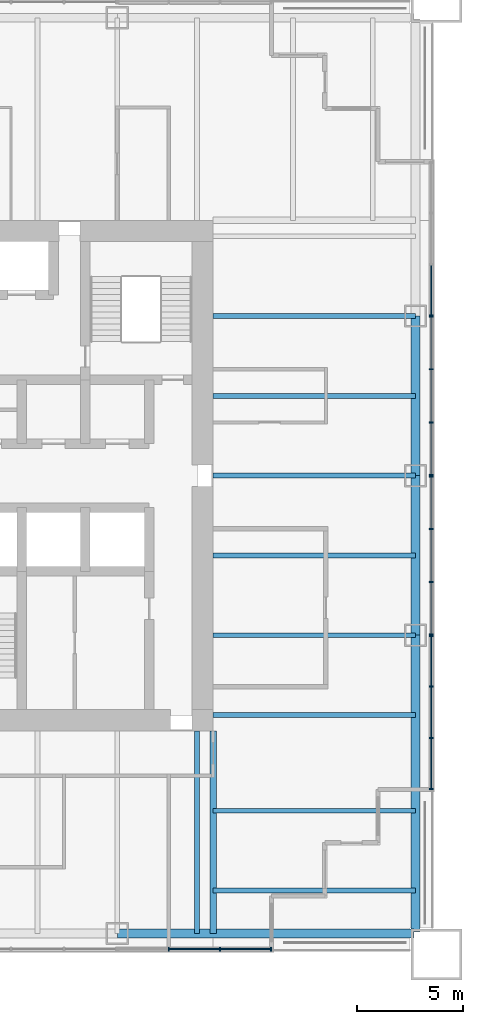
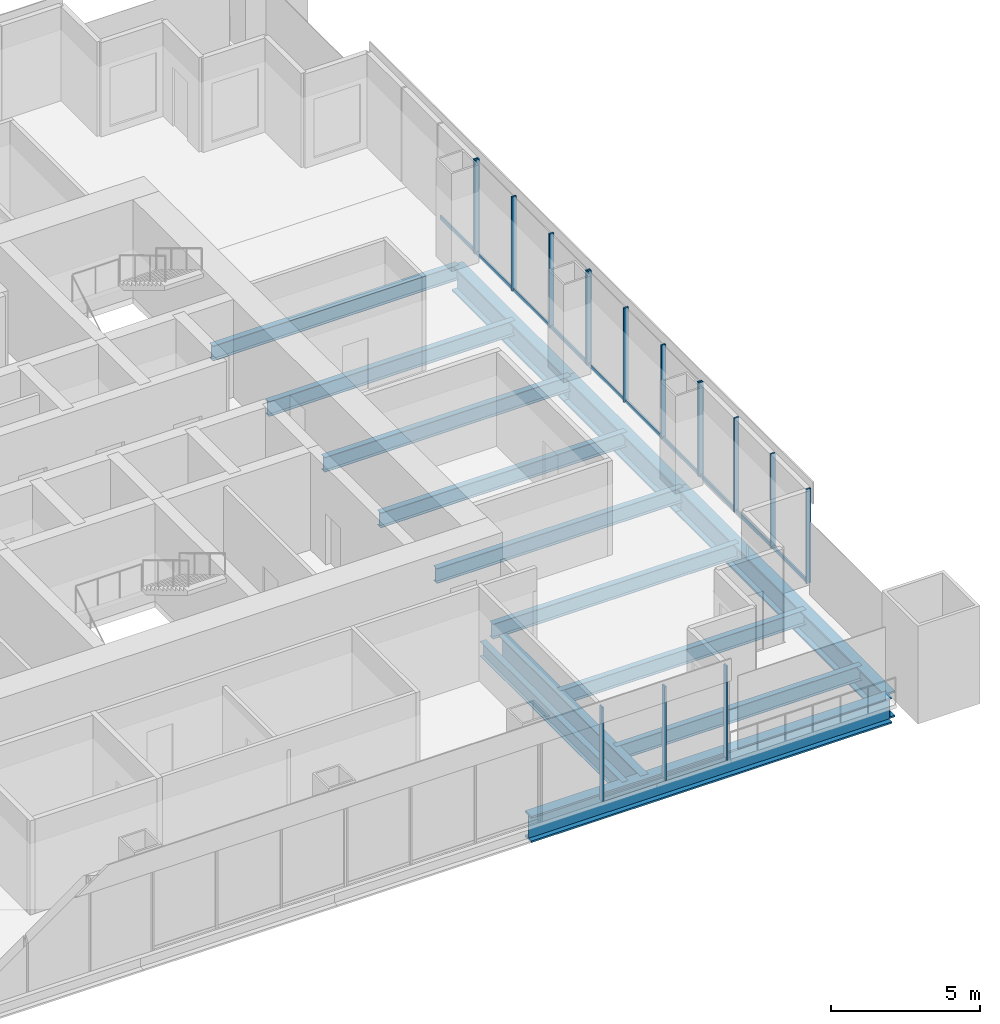
# One storey, part 4 of 13: 28 members, 14 beams, 5 elements without a shape of their own.
"""IFC4 building model written with IfcOpenShell, lengths in metres."""

from ifc_helpers import new_model, si_unit, direction, frame, origin, origin_2d, place, context, subcontext, project, spatial, rectangle, i_section, extrude, material, material_profile, profile_set, type_object, element, aggregate, save


model = new_model("IFC4")

# Units and contexts
model_context = context("Model", 3, precision=1e-05, world=origin(), true_north=direction((0.0, 1.0)))
body_context = subcontext(model_context, "Body", "Model", "MODEL_VIEW")
ifc_project = project(units=[si_unit("LENGTHUNIT", "METRE"), si_unit("AREAUNIT", "SQUARE_METRE"), si_unit("VOLUMEUNIT", "CUBIC_METRE"), si_unit("PLANEANGLEUNIT", "RADIAN"), si_unit("MASSUNIT", "GRAM", prefix="KILO")], contexts=[model_context])

# Site, building, storey
site_placement = place(None, origin())
site = spatial("IfcSite", under=ifc_project, at=site_placement, CompositionType="ELEMENT")
building_placement = place(site_placement, origin())
building = spatial("IfcBuilding", under=site, at=building_placement, Name="Tarangal Relay Tower", CompositionType="ELEMENT")
storey_placement = place(building_placement, frame((0.0, 0.0, 241.89990234375)))
storey = spatial("IfcBuildingStorey", under=building, at=storey_placement, Name="L52", CompositionType="ELEMENT", Elevation=241.89990234375)

# Beams
ifc_material_1 = material(Name="Steel ASTM A992", Category="steel")
ifc_material_profile_1 = material_profile(ifc_material_1, i_section(OverallWidth=0.227783203125, OverallDepth=0.60205078125, WebThickness=0.010498046875, FlangeThickness=0.014892578125, at=origin_2d()), Name="W24X68")
ifc_profile_set_1 = profile_set([ifc_material_profile_1], Name="Steel ASTM A992")
beam_type_1 = type_object("IfcBeamType", Name="Corner beam W24X68", PredefinedType="JOIST", material=ifc_profile_set_1)
for number, where, z_axis, x_axis, name in (
    (1, (12.0, -15.75, -0.450927734375), (1.0, 0.0, 0.0), (0.0, 1.0, 0.0), "Corner beam CB11 E L52"),
    (2, (12.0, -19.5, -0.450927734375), (1.0, 0.0, 0.0), (0.0, 1.0, 0.0), "Corner beam CB11 E L52"),
):
    element("IfcBeam", number, at=place(storey_placement, frame(where, z_axis=z_axis, x_axis=x_axis)), inside=storey, type_object=beam_type_1, Name=name, PredefinedType="JOIST", context=body_context, shape_type="SweptSolid", body=[
        extrude(i_section(OverallWidth=0.227783203125, OverallDepth=0.60205078125, WebThickness=0.010498046875, FlangeThickness=0.014892578125, at=origin_2d()), origin(), (0.0, 0.0, 1.0), 9.514892578125),
    ])
ifc_material_profile_2 = material_profile(ifc_material_1, i_section(OverallWidth=0.307373046875, OverallDepth=0.9423828125, WebThickness=0.022216796875, FlangeThickness=0.039794921875, at=origin_2d()), Name="W36X232")
ifc_profile_set_2 = profile_set([ifc_material_profile_2], Name="Steel ASTM A992")
beam_type_2 = type_object("IfcBeamType", Name="Corner girder W36X232", PredefinedType="BEAM", material=ifc_profile_set_2)
beam_placement = place(storey_placement, frame((12.0, -12.0, -0.62109375), z_axis=(0.0, -1.0, 0.0), x_axis=(1.0, 0.0, 0.0)))
element("IfcBeam", 3, at=beam_placement, inside=storey, type_object=beam_type_2, Name="Corner girder CG4 E L52", PredefinedType="BEAM", context=body_context, shape_type="SweptSolid", body=[
    extrude(i_section(OverallWidth=0.307373046875, OverallDepth=0.9423828125, WebThickness=0.022216796875, FlangeThickness=0.039794921875, at=origin_2d()), origin(), (0.0, 0.0, 1.0), 9.514892578125),
])
ifc_material_profile_3 = material_profile(ifc_material_1, i_section(OverallWidth=0.41650390625, OverallDepth=1.0693359375, WebThickness=0.0390625, FlangeThickness=0.070068359375, at=origin_2d()), Name="W40X503")
ifc_profile_set_3 = profile_set([ifc_material_profile_3], Name="Steel ASTM A992")
beam_type_3 = type_object("IfcBeamType", Name="Edge girder W40X503", PredefinedType="SPANDREL", material=ifc_profile_set_3)
for number, where, z_axis, x_axis, name in (
    (4, (21.514892578125, 7.5, -0.6845703125), (0.0, -1.0, 0.0), (1.0, 0.0, 0.0), "Edge girder EG8 E L52"),
    (5, (21.514892578125, 0.0, -0.6845703125), (0.0, -1.0, 0.0), (1.0, 0.0, 0.0), "Edge girder EG8 E L52"),
):
    element("IfcBeam", number, at=place(storey_placement, frame(where, z_axis=z_axis, x_axis=x_axis)), inside=storey, type_object=beam_type_3, Name=name, PredefinedType="SPANDREL", context=body_context, shape_type="SweptSolid", body=[
        extrude(i_section(OverallWidth=0.41650390625, OverallDepth=1.0693359375, WebThickness=0.0390625, FlangeThickness=0.070068359375, at=origin_2d()), origin(), (0.0, 0.0, 1.0), 7.5),
    ])
for number, where, z_axis, x_axis, name in (
    (6, (21.514892578125, -7.5, -0.6845703125), (0.0, -1.0, 0.0), (1.0, 0.0, 0.0), "Edge girder EG8 E L52"),
    (7, (21.449951171875, -21.514892578125, -0.6845703125), (-1.0, 0.0, 0.0), (0.0, -1.0, 0.0), "Edge girder EG8 S L52"),
):
    element("IfcBeam", number, at=place(storey_placement, frame(where, z_axis=z_axis, x_axis=x_axis)), inside=storey, type_object=beam_type_3, Name=name, PredefinedType="SPANDREL", context=body_context, shape_type="SweptSolid", body=[
        extrude(i_section(OverallWidth=0.41650390625, OverallDepth=1.0693359375, WebThickness=0.0390625, FlangeThickness=0.070068359375, at=origin_2d()), origin(), (0.0, 0.0, 1.0), 13.949951171875),
    ])
ifc_material_profile_4 = material_profile(ifc_material_1, i_section(OverallWidth=0.22900390625, OverallDepth=0.612060546875, WebThickness=0.011962890625, FlangeThickness=0.01953125, at=origin_2d()), Name="W24X84")
ifc_profile_set_4 = profile_set([ifc_material_profile_4], Name="Steel ASTM A992")
beam_type_4 = type_object("IfcBeamType", Name="Floor beam W24X84", PredefinedType="BEAM", material=ifc_profile_set_4)
for number, where, z_axis, x_axis, name in (
    (8, (12.0, 7.5, -0.455810546875), (1.0, 0.0, 0.0), (0.0, 1.0, 0.0), "Floor beam RB12 E L52"),
    (9, (12.0, 3.75, -0.455810546875), (1.0, 0.0, 0.0), (0.0, 1.0, 0.0), "Floor beam RB12 E L52"),
    (10, (12.0, 0.0, -0.455810546875), (1.0, 0.0, 0.0), (0.0, 1.0, 0.0), "Floor beam RB12 E L52"),
    (11, (12.0, -3.75, -0.455810546875), (1.0, 0.0, 0.0), (0.0, 1.0, 0.0), "Floor beam RB12 E L52"),
    (12, (12.0, -7.5, -0.455810546875), (1.0, 0.0, 0.0), (0.0, 1.0, 0.0), "Floor beam RB12 E L52"),
    (13, (12.0, -11.25, -0.455810546875), (1.0, 0.0, 0.0), (0.0, 1.0, 0.0), "Floor beam RB12 E L52"),
    (14, (11.25, -12.0, -0.455810546875), (0.0, -1.0, 0.0), (1.0, 0.0, 0.0), "Floor beam RB12 S L52"),
):
    element("IfcBeam", number, at=place(storey_placement, frame(where, z_axis=z_axis, x_axis=x_axis)), inside=storey, type_object=beam_type_4, Name=name, PredefinedType="BEAM", context=body_context, shape_type="SweptSolid", body=[
        extrude(i_section(OverallWidth=0.22900390625, OverallDepth=0.612060546875, WebThickness=0.011962890625, FlangeThickness=0.01953125, at=origin_2d()), origin(), (0.0, 0.0, 1.0), 9.514892578125),
    ])

# Curtain wall, members
ifc_material_2 = material(Name="Unitised curtain wall, dark glass and black aluminium", Category="aluminium")
curtain_wall_type_1 = type_object("IfcCurtainWallType", Name="Curtain wall CW-A", PredefinedType="USERDEFINED", material=ifc_material_2)
curtain_wall_1_placement = place(storey_placement, origin())
curtain_wall_1 = element("IfcCurtainWall", 15, at=curtain_wall_1_placement, inside=storey, type_object=curtain_wall_type_1, Name="Curtain wall CW-A E facade L52", ObjectType="UNITISED CURTAIN WALL", PredefinedType="USERDEFINED")
ifc_material_3 = material(Name="Black anodised aluminium mullion", Category="aluminium")
ifc_material_profile_5 = material_profile(ifc_material_3, rectangle(XDim=0.175048828125, YDim=0.06494140625, at=origin_2d()), Name="CW-AM 65X175")
ifc_profile_set_5 = profile_set([ifc_material_profile_5], Name="Black anodised aluminium mullion")
member_type_1 = type_object("IfcMemberType", Name="Mullion CW-A 65 x 175", PredefinedType="MULLION", material=ifc_profile_set_5)
member_1_placement = place(storey_placement, frame((22.25, 7.467529296875, 0.0), z_axis=(0.0, 0.0, 1.0), x_axis=(1.0, 0.0, 0.0)))
member_1 = element("IfcMember", 16, at=member_1_placement, type_object=member_type_1, Name="CW-A mullion 1", PredefinedType="MULLION", context=body_context, shape_type="SweptSolid", body=[
    extrude(rectangle(XDim=0.175048828125, YDim=0.06494140625, at=origin_2d()), origin(), (0.0, 0.0, 1.0), 3.85009765625),
])
member_2_placement = place(storey_placement, frame((22.25, 5.0, 0.0), z_axis=(0.0, 0.0, 1.0), x_axis=(1.0, 0.0, 0.0)))
member_2 = element("IfcMember", 17, at=member_2_placement, type_object=member_type_1, Name="CW-A mullion 2", PredefinedType="MULLION", context=body_context, shape_type="SweptSolid", body=[
    extrude(rectangle(XDim=0.175048828125, YDim=0.06494140625, at=origin_2d()), origin(), (0.0, 0.0, 1.0), 3.85009765625),
])
member_3_placement = place(storey_placement, frame((22.25, 2.5, 0.0), z_axis=(0.0, 0.0, 1.0), x_axis=(1.0, 0.0, 0.0)))
member_3 = element("IfcMember", 18, at=member_3_placement, type_object=member_type_1, Name="CW-A mullion 3", PredefinedType="MULLION", context=body_context, shape_type="SweptSolid", body=[
    extrude(rectangle(XDim=0.175048828125, YDim=0.06494140625, at=origin_2d()), origin(), (0.0, 0.0, 1.0), 3.85009765625),
])
member_4_placement = place(storey_placement, frame((22.25, 0.032470703125, 0.0), z_axis=(0.0, 0.0, 1.0), x_axis=(1.0, 0.0, 0.0)))
member_4 = element("IfcMember", 19, at=member_4_placement, type_object=member_type_1, Name="CW-A mullion 4", PredefinedType="MULLION", context=body_context, shape_type="SweptSolid", body=[
    extrude(rectangle(XDim=0.175048828125, YDim=0.06494140625, at=origin_2d()), origin(), (0.0, 0.0, 1.0), 3.85009765625),
])

curtain_wall_2_placement = place(storey_placement, origin())
curtain_wall_2 = element("IfcCurtainWall", 20, at=curtain_wall_2_placement, inside=storey, type_object=curtain_wall_type_1, Name="Curtain wall CW-A E facade L52", ObjectType="UNITISED CURTAIN WALL", PredefinedType="USERDEFINED")
member_5_placement = place(storey_placement, frame((22.25, -0.032470703125, 0.0), z_axis=(0.0, 0.0, 1.0), x_axis=(1.0, 0.0, 0.0)))
member_5 = element("IfcMember", 21, at=member_5_placement, type_object=member_type_1, Name="CW-A mullion 1", PredefinedType="MULLION", context=body_context, shape_type="SweptSolid", body=[
    extrude(rectangle(XDim=0.175048828125, YDim=0.06494140625, at=origin_2d()), origin(), (0.0, 0.0, 1.0), 3.85009765625),
])
member_6_placement = place(storey_placement, frame((22.25, -2.5, 0.0), z_axis=(0.0, 0.0, 1.0), x_axis=(1.0, 0.0, 0.0)))
member_6 = element("IfcMember", 22, at=member_6_placement, type_object=member_type_1, Name="CW-A mullion 2", PredefinedType="MULLION", context=body_context, shape_type="SweptSolid", body=[
    extrude(rectangle(XDim=0.175048828125, YDim=0.06494140625, at=origin_2d()), origin(), (0.0, 0.0, 1.0), 3.85009765625),
])
member_7_placement = place(storey_placement, frame((22.25, -5.0, 0.0), z_axis=(0.0, 0.0, 1.0), x_axis=(1.0, 0.0, 0.0)))
member_7 = element("IfcMember", 23, at=member_7_placement, type_object=member_type_1, Name="CW-A mullion 3", PredefinedType="MULLION", context=body_context, shape_type="SweptSolid", body=[
    extrude(rectangle(XDim=0.175048828125, YDim=0.06494140625, at=origin_2d()), origin(), (0.0, 0.0, 1.0), 3.85009765625),
])
member_8_placement = place(storey_placement, frame((22.25, -7.467529296875, 0.0), z_axis=(0.0, 0.0, 1.0), x_axis=(1.0, 0.0, 0.0)))
member_8 = element("IfcMember", 24, at=member_8_placement, type_object=member_type_1, Name="CW-A mullion 4", PredefinedType="MULLION", context=body_context, shape_type="SweptSolid", body=[
    extrude(rectangle(XDim=0.175048828125, YDim=0.06494140625, at=origin_2d()), origin(), (0.0, 0.0, 1.0), 3.85009765625),
])

# Curtain wall, member
ifc_material_4 = material(Name="Unitised curtain wall frame, black aluminium, with metal clad infill walls", Category="aluminium")
curtain_wall_type_2 = type_object("IfcCurtainWallType", Name="Curtain wall CW-AO", PredefinedType="USERDEFINED", material=ifc_material_4)
curtain_wall_3_placement = place(storey_placement, origin())
curtain_wall_3 = element("IfcCurtainWall", 25, at=curtain_wall_3_placement, inside=storey, type_object=curtain_wall_type_2, Name="Curtain wall CW-AO E facade L52", ObjectType="UNITISED CURTAIN WALL", PredefinedType="USERDEFINED")
ifc_material_profile_6 = material_profile(ifc_material_3, rectangle(XDim=0.175048828125, YDim=0.06494140625, at=origin_2d()), Name="CW-AOM 65X175")
ifc_profile_set_6 = profile_set([ifc_material_profile_6], Name="Black anodised aluminium mullion")
member_type_2 = type_object("IfcMemberType", Name="Mullion CW-AO 65 x 175", PredefinedType="MULLION", material=ifc_profile_set_6)
member_9_placement = place(storey_placement, frame((22.25, 7.532470703125, 0.0), z_axis=(0.0, 0.0, 1.0), x_axis=(1.0, 0.0, 0.0)))
member_9 = element("IfcMember", 26, at=member_9_placement, type_object=member_type_2, Name="CW-AO mullion 4", PredefinedType="MULLION", context=body_context, shape_type="SweptSolid", body=[
    extrude(rectangle(XDim=0.175048828125, YDim=0.06494140625, at=origin_2d()), origin(), (0.0, 0.0, 1.0), 3.85009765625),
])

# Curtain wall, members
curtain_wall_4_placement = place(storey_placement, origin())
curtain_wall_4 = element("IfcCurtainWall", 27, at=curtain_wall_4_placement, inside=storey, type_object=curtain_wall_type_2, Name="Curtain wall CW-AO E facade L52", ObjectType="UNITISED CURTAIN WALL", PredefinedType="USERDEFINED")
member_10_placement = place(storey_placement, frame((22.25, -7.532470703125, 0.0), z_axis=(0.0, 0.0, 1.0), x_axis=(1.0, 0.0, 0.0)))
member_10 = element("IfcMember", 28, at=member_10_placement, type_object=member_type_2, Name="CW-AO mullion 1", PredefinedType="MULLION", context=body_context, shape_type="SweptSolid", body=[
    extrude(rectangle(XDim=0.175048828125, YDim=0.06494140625, at=origin_2d()), origin(), (0.0, 0.0, 1.0), 3.85009765625),
])
member_11_placement = place(storey_placement, frame((22.25, -9.916748046875, 0.0), z_axis=(0.0, 0.0, 1.0), x_axis=(1.0, 0.0, 0.0)))
member_11 = element("IfcMember", 29, at=member_11_placement, type_object=member_type_2, Name="CW-AO mullion 2", PredefinedType="MULLION", context=body_context, shape_type="SweptSolid", body=[
    extrude(rectangle(XDim=0.175048828125, YDim=0.06494140625, at=origin_2d()), origin(), (0.0, 0.0, 1.0), 3.85009765625),
])
member_12_placement = place(storey_placement, frame((22.25, -12.333251953125, 0.0), z_axis=(0.0, 0.0, 1.0), x_axis=(1.0, 0.0, 0.0)))
member_12 = element("IfcMember", 30, at=member_12_placement, type_object=member_type_2, Name="CW-AO mullion 3", PredefinedType="MULLION", context=body_context, shape_type="SweptSolid", body=[
    extrude(rectangle(XDim=0.175048828125, YDim=0.06494140625, at=origin_2d()), origin(), (0.0, 0.0, 1.0), 3.85009765625),
])
member_13_placement = place(storey_placement, frame((22.25, -14.717529296875, 0.0), z_axis=(0.0, 0.0, 1.0), x_axis=(1.0, 0.0, 0.0)))
member_13 = element("IfcMember", 31, at=member_13_placement, type_object=member_type_2, Name="CW-AO mullion 4", PredefinedType="MULLION", context=body_context, shape_type="SweptSolid", body=[
    extrude(rectangle(XDim=0.175048828125, YDim=0.06494140625, at=origin_2d()), origin(), (0.0, 0.0, 1.0), 3.85009765625),
])

curtain_wall_5_placement = place(storey_placement, origin())
curtain_wall_5 = element("IfcCurtainWall", 32, at=curtain_wall_5_placement, inside=storey, type_object=curtain_wall_type_2, Name="Curtain wall CW-AO S facade L52", ObjectType="UNITISED CURTAIN WALL", PredefinedType="USERDEFINED")
member_14_placement = place(storey_placement, frame((14.717529296875, -22.25, 0.0), z_axis=(0.0, 0.0, 1.0), x_axis=(0.0, -1.0, 0.0)))
member_14 = element("IfcMember", 33, at=member_14_placement, type_object=member_type_2, Name="CW-AO mullion 1", PredefinedType="MULLION", context=body_context, shape_type="SweptSolid", body=[
    extrude(rectangle(XDim=0.175048828125, YDim=0.06494140625, at=origin_2d()), origin(), (0.0, 0.0, 1.0), 3.85009765625),
])
member_15_placement = place(storey_placement, frame((12.333251953125, -22.25, 0.0), z_axis=(0.0, 0.0, 1.0), x_axis=(0.0, -1.0, 0.0)))
member_15 = element("IfcMember", 34, at=member_15_placement, type_object=member_type_2, Name="CW-AO mullion 2", PredefinedType="MULLION", context=body_context, shape_type="SweptSolid", body=[
    extrude(rectangle(XDim=0.175048828125, YDim=0.06494140625, at=origin_2d()), origin(), (0.0, 0.0, 1.0), 3.85009765625),
])
member_16_placement = place(storey_placement, frame((9.916748046875, -22.25, 0.0), z_axis=(0.0, 0.0, 1.0), x_axis=(0.0, -1.0, 0.0)))
member_16 = element("IfcMember", 35, at=member_16_placement, type_object=member_type_2, Name="CW-AO mullion 3", PredefinedType="MULLION", context=body_context, shape_type="SweptSolid", body=[
    extrude(rectangle(XDim=0.175048828125, YDim=0.06494140625, at=origin_2d()), origin(), (0.0, 0.0, 1.0), 3.85009765625),
])

# Member
ifc_material_5 = material(Name="Black anodised aluminium transom", Category="aluminium")
ifc_material_profile_7 = material_profile(ifc_material_5, rectangle(XDim=0.06494140625, YDim=0.14990234375, at=origin_2d()), Name="CW-AT 65X150")
ifc_profile_set_7 = profile_set([ifc_material_profile_7], Name="Black anodised aluminium transom")
member_type_3 = type_object("IfcMemberType", Name="Transom CW-A 65 x 150", PredefinedType="USERDEFINED", material=ifc_profile_set_7)
member_17_placement = place(storey_placement, frame((22.25, 7.43505859375, 0.03271484375), z_axis=(0.0, -1.0, 0.0), x_axis=(1.0, 0.0, 0.0)))
member_17 = element("IfcMember", 36, at=member_17_placement, type_object=member_type_3, Name="CW-A transom 1.1", ObjectType="TRANSOM", PredefinedType="USERDEFINED", context=body_context, shape_type="SweptSolid", body=[
    extrude(rectangle(XDim=0.06494140625, YDim=0.14990234375, at=origin_2d()), origin(), (0.0, 0.0, 1.0), 2.402587890625),
])

member_18_placement = place(storey_placement, frame((22.25, 4.967529296875, 0.03271484375), z_axis=(0.0, -1.0, 0.0), x_axis=(1.0, 0.0, 0.0)))
member_18 = element("IfcMember", 37, at=member_18_placement, type_object=member_type_3, Name="CW-A transom 2.1", ObjectType="TRANSOM", PredefinedType="USERDEFINED", context=body_context, shape_type="SweptSolid", body=[
    extrude(rectangle(XDim=0.06494140625, YDim=0.14990234375, at=origin_2d()), origin(), (0.0, 0.0, 1.0), 2.43505859375),
])

member_19_placement = place(storey_placement, frame((22.25, 2.467529296875, 0.03271484375), z_axis=(0.0, -1.0, 0.0), x_axis=(1.0, 0.0, 0.0)))
member_19 = element("IfcMember", 38, at=member_19_placement, type_object=member_type_3, Name="CW-A transom 3.1", ObjectType="TRANSOM", PredefinedType="USERDEFINED", context=body_context, shape_type="SweptSolid", body=[
    extrude(rectangle(XDim=0.06494140625, YDim=0.14990234375, at=origin_2d()), origin(), (0.0, 0.0, 1.0), 2.402587890625),
])

aggregate(curtain_wall_1, [member_1, member_2, member_3, member_4, member_17, member_18, member_19])

member_20_placement = place(storey_placement, frame((22.25, -0.06494140625, 0.03271484375), z_axis=(0.0, -1.0, 0.0), x_axis=(1.0, 0.0, 0.0)))
member_20 = element("IfcMember", 39, at=member_20_placement, type_object=member_type_3, Name="CW-A transom 1.1", ObjectType="TRANSOM", PredefinedType="USERDEFINED", context=body_context, shape_type="SweptSolid", body=[
    extrude(rectangle(XDim=0.06494140625, YDim=0.14990234375, at=origin_2d()), origin(), (0.0, 0.0, 1.0), 2.402587890625),
])

member_21_placement = place(storey_placement, frame((22.25, -2.532470703125, 0.03271484375), z_axis=(0.0, -1.0, 0.0), x_axis=(1.0, 0.0, 0.0)))
member_21 = element("IfcMember", 40, at=member_21_placement, type_object=member_type_3, Name="CW-A transom 2.1", ObjectType="TRANSOM", PredefinedType="USERDEFINED", context=body_context, shape_type="SweptSolid", body=[
    extrude(rectangle(XDim=0.06494140625, YDim=0.14990234375, at=origin_2d()), origin(), (0.0, 0.0, 1.0), 2.43505859375),
])

member_22_placement = place(storey_placement, frame((22.25, -5.032470703125, 0.03271484375), z_axis=(0.0, -1.0, 0.0), x_axis=(1.0, 0.0, 0.0)))
member_22 = element("IfcMember", 41, at=member_22_placement, type_object=member_type_3, Name="CW-A transom 3.1", ObjectType="TRANSOM", PredefinedType="USERDEFINED", context=body_context, shape_type="SweptSolid", body=[
    extrude(rectangle(XDim=0.06494140625, YDim=0.14990234375, at=origin_2d()), origin(), (0.0, 0.0, 1.0), 2.402587890625),
])

aggregate(curtain_wall_2, [member_5, member_6, member_7, member_8, member_20, member_21, member_22])

ifc_material_profile_8 = material_profile(ifc_material_5, rectangle(XDim=0.06494140625, YDim=0.14990234375, at=origin_2d()), Name="CW-AOT 65X150")
ifc_profile_set_8 = profile_set([ifc_material_profile_8], Name="Black anodised aluminium transom")
member_type_4 = type_object("IfcMemberType", Name="Transom CW-AO 65 x 150", PredefinedType="USERDEFINED", material=ifc_profile_set_8)
member_23_placement = place(storey_placement, frame((22.25, 9.88427734375, 0.03271484375), z_axis=(0.0, -1.0, 0.0), x_axis=(1.0, 0.0, 0.0)))
member_23 = element("IfcMember", 42, at=member_23_placement, type_object=member_type_4, Name="CW-AO transom 3.1", ObjectType="TRANSOM", PredefinedType="USERDEFINED", context=body_context, shape_type="SweptSolid", body=[
    extrude(rectangle(XDim=0.06494140625, YDim=0.14990234375, at=origin_2d()), origin(), (0.0, 0.0, 1.0), 2.3193359375),
])

aggregate(curtain_wall_3, [member_9, member_23])

member_24_placement = place(storey_placement, frame((22.25, -7.56494140625, 0.03271484375), z_axis=(0.0, -1.0, 0.0), x_axis=(1.0, 0.0, 0.0)))
member_24 = element("IfcMember", 43, at=member_24_placement, type_object=member_type_4, Name="CW-AO transom 1.1", ObjectType="TRANSOM", PredefinedType="USERDEFINED", context=body_context, shape_type="SweptSolid", body=[
    extrude(rectangle(XDim=0.06494140625, YDim=0.14990234375, at=origin_2d()), origin(), (0.0, 0.0, 1.0), 2.3193359375),
])

member_25_placement = place(storey_placement, frame((22.25, -9.94921875, 0.03271484375), z_axis=(0.0, -1.0, 0.0), x_axis=(1.0, 0.0, 0.0)))
member_25 = element("IfcMember", 44, at=member_25_placement, type_object=member_type_4, Name="CW-AO transom 2.1", ObjectType="TRANSOM", PredefinedType="USERDEFINED", context=body_context, shape_type="SweptSolid", body=[
    extrude(rectangle(XDim=0.06494140625, YDim=0.14990234375, at=origin_2d()), origin(), (0.0, 0.0, 1.0), 2.3515625),
])

member_26_placement = place(storey_placement, frame((22.25, -12.36572265625, 0.03271484375), z_axis=(0.0, -1.0, 0.0), x_axis=(1.0, 0.0, 0.0)))
member_26 = element("IfcMember", 45, at=member_26_placement, type_object=member_type_4, Name="CW-AO transom 3.1", ObjectType="TRANSOM", PredefinedType="USERDEFINED", context=body_context, shape_type="SweptSolid", body=[
    extrude(rectangle(XDim=0.06494140625, YDim=0.14990234375, at=origin_2d()), origin(), (0.0, 0.0, 1.0), 2.3193359375),
])

aggregate(curtain_wall_4, [member_10, member_11, member_12, member_13, member_24, member_25, member_26])

member_27_placement = place(storey_placement, frame((14.68505859375, -22.25, 0.03271484375), z_axis=(-1.0, 0.0, 0.0), x_axis=(0.0, -1.0, 0.0)))
member_27 = element("IfcMember", 46, at=member_27_placement, type_object=member_type_4, Name="CW-AO transom 1.1", ObjectType="TRANSOM", PredefinedType="USERDEFINED", context=body_context, shape_type="SweptSolid", body=[
    extrude(rectangle(XDim=0.06494140625, YDim=0.14990234375, at=origin_2d()), origin(), (0.0, 0.0, 1.0), 2.3193359375),
])

member_28_placement = place(storey_placement, frame((12.30078125, -22.25, 0.03271484375), z_axis=(-1.0, 0.0, 0.0), x_axis=(0.0, -1.0, 0.0)))
member_28 = element("IfcMember", 47, at=member_28_placement, type_object=member_type_4, Name="CW-AO transom 2.1", ObjectType="TRANSOM", PredefinedType="USERDEFINED", context=body_context, shape_type="SweptSolid", body=[
    extrude(rectangle(XDim=0.06494140625, YDim=0.14990234375, at=origin_2d()), origin(), (0.0, 0.0, 1.0), 2.3515625),
])

aggregate(curtain_wall_5, [member_14, member_15, member_16, member_27, member_28])

save(model, "model.ifc")
